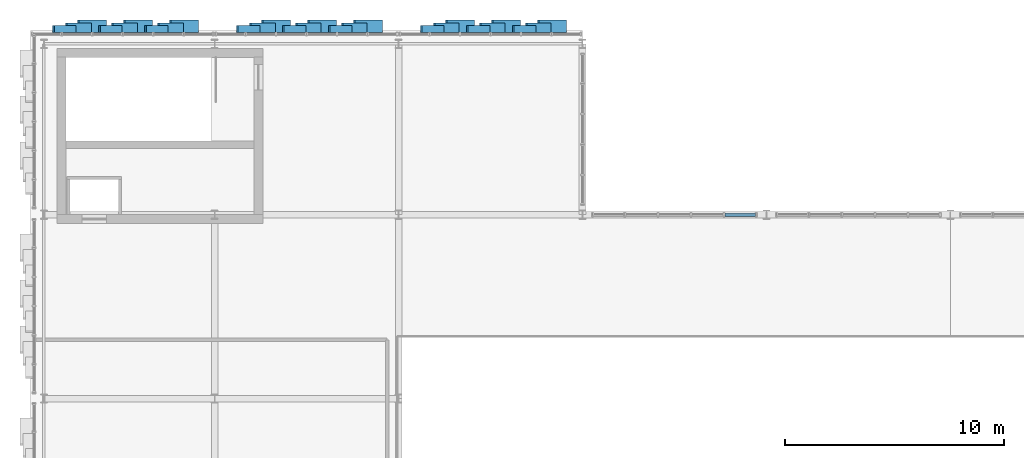
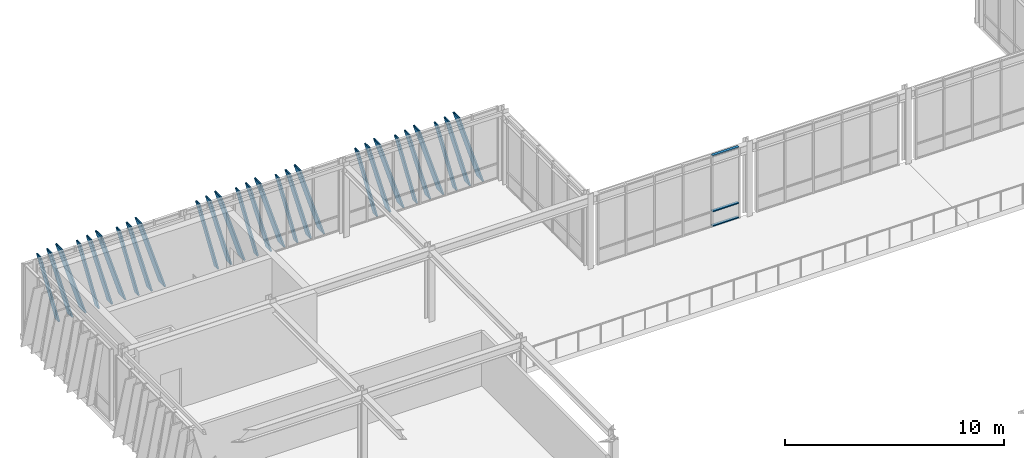
# One storey, part 46 of 123: 30 members, 4 elements without a shape of their own.
"""IFC4 building model written with IfcOpenShell, lengths in metres."""

from ifc_helpers import new_model, si_unit, direction, frame, origin, origin_2d, place, context, subcontext, project, spatial, hollow_rectangle, extrude, material, layer, layer_set, material_profile, profile_set, type_object, element, aggregate, save


model = new_model("IFC4")

# Units and contexts
model_context = context("Model", 3, precision=1e-05, world=origin(), true_north=direction((0.0, 1.0)))
body_context = subcontext(model_context, "Body", "Model", "MODEL_VIEW")
ifc_project = project(units=[si_unit("LENGTHUNIT", "METRE"), si_unit("AREAUNIT", "SQUARE_METRE"), si_unit("VOLUMEUNIT", "CUBIC_METRE"), si_unit("PLANEANGLEUNIT", "RADIAN"), si_unit("MASSUNIT", "GRAM", prefix="KILO")], contexts=[model_context])

# Site, building, storey
site_placement = place(None, origin())
site = spatial("IfcSite", under=ifc_project, at=site_placement, CompositionType="ELEMENT")
building_placement = place(site_placement, origin())
building = spatial("IfcBuilding", under=site, at=building_placement, Name="Zayran Congress Hotel", CompositionType="ELEMENT")
storey_placement = place(building_placement, frame((0.0, 0.0, 15.0)))
storey = spatial("IfcBuildingStorey", under=building, at=storey_placement, Name="L03", CompositionType="ELEMENT", Elevation=15.0)

# Curtain wall, members
ifc_material_1 = material(Name="Anodised aluminium and low-E insulated glass", Category="aluminium")
ifc_layer_1 = layer(ifc_material_1, 0.179931640625)
ifc_layer_set_1 = layer_set([ifc_layer_1], Name="Anodised aluminium and low-E insulated glass")
curtain_wall_type_1 = type_object("IfcCurtainWallType", Name="CW-V1NF-L03-CW-21-7560-3980", PredefinedType="USERDEFINED", material=ifc_layer_set_1)
curtain_wall_1_placement = place(storey_placement, origin())
curtain_wall_1 = element("IfcCurtainWall", 1, at=curtain_wall_1_placement, inside=storey, type_object=curtain_wall_type_1, Name="CW-V1NF-L03-3", ObjectType="CURTAIN WALL", PredefinedType="USERDEFINED")
ifc_material_2 = material(Name="Anodised aluminium framing", Category="aluminium")
ifc_material_profile_1 = material_profile(ifc_material_2, hollow_rectangle(XDim=0.06005859375, YDim=0.14990234375, WallThickness=0.00390625, at=origin_2d()), Name="RHS 150x60x4")
ifc_profile_set_1 = profile_set([ifc_material_profile_1], Name="Anodised aluminium framing")
member_type_1 = type_object("IfcMemberType", Name="TP-CWT-01", PredefinedType="USERDEFINED", material=ifc_profile_set_1)
member_1_placement = place(storey_placement, frame((41.5, 109.60009765625, 0.030029296875), z_axis=(-1.0, 0.0, 0.0), x_axis=(0.0, 0.0, 1.0)))
member_1 = element("IfcMember", 2, at=member_1_placement, type_object=member_type_1, Name="CW-V1NF-L03-3-T00-0", ObjectType="TRANSOM", PredefinedType="USERDEFINED", context=body_context, shape_type="SweptSolid", body=[
    extrude(hollow_rectangle(XDim=0.06005859375, YDim=0.14990234375, WallThickness=0.00390625, at=origin_2d()), origin(), (0.0, 0.0, 1.0), 1.39208984375),
])
member_2_placement = place(storey_placement, frame((41.5, 109.60009765625, 0.840087890625), z_axis=(-1.0, 0.0, 0.0), x_axis=(0.0, 0.0, 1.0)))
member_2 = element("IfcMember", 3, at=member_2_placement, type_object=member_type_1, Name="CW-V1NF-L03-3-T00-1", ObjectType="TRANSOM", PredefinedType="USERDEFINED", context=body_context, shape_type="SweptSolid", body=[
    extrude(hollow_rectangle(XDim=0.06005859375, YDim=0.14990234375, WallThickness=0.00390625, at=origin_2d()), origin(), (0.0, 0.0, 1.0), 1.39208984375),
])
member_3_placement = place(storey_placement, frame((41.5, 109.60009765625, 3.949951171875), z_axis=(-1.0, 0.0, 0.0), x_axis=(0.0, 0.0, 1.0)))
member_3 = element("IfcMember", 4, at=member_3_placement, type_object=member_type_1, Name="CW-V1NF-L03-3-T00-2", ObjectType="TRANSOM", PredefinedType="USERDEFINED", context=body_context, shape_type="SweptSolid", body=[
    extrude(hollow_rectangle(XDim=0.06005859375, YDim=0.14990234375, WallThickness=0.00390625, at=origin_2d()), origin(), (0.0, 0.0, 1.0), 1.39208984375),
])
aggregate(curtain_wall_1, [member_1, member_2, member_3])

ifc_layer_2 = layer(ifc_material_1, 0.179931640625)
ifc_layer_set_2 = layer_set([ifc_layer_2], Name="Anodised aluminium and low-E insulated glass")
curtain_wall_type_2 = type_object("IfcCurtainWallType", Name="CW-V1N-L03-CW-21-8360-3980", PredefinedType="USERDEFINED", material=ifc_layer_set_2)
curtain_wall_2_placement = place(storey_placement, origin())
curtain_wall_2 = element("IfcCurtainWall", 5, at=curtain_wall_2_placement, inside=storey, type_object=curtain_wall_type_2, Name="CW-V1N-L03-0", ObjectType="CURTAIN WALL", PredefinedType="USERDEFINED")
ifc_material_3 = material(Name="Warm bronze anodised aluminium", Category="aluminium")
ifc_material_profile_2 = material_profile(ifc_material_3, hollow_rectangle(XDim=0.080078125, YDim=0.580078125, WallThickness=0.006103515625, at=origin_2d()), Name="RHS 580x80x6")
ifc_profile_set_2 = profile_set([ifc_material_profile_2], Name="Warm bronze anodised aluminium")
member_type_2 = type_object("IfcMemberType", Name="TP-RFN-01", PredefinedType="MULLION", material=ifc_profile_set_2)
member_4_placement = place(storey_placement, frame((16.030029296875, 118.199951171875, 0.0), z_axis=(-0.300705753938, 0.0, 0.953716965115), x_axis=(0.953716965115, 0.0, 0.300705753938)))
member_4 = element("IfcMember", 6, at=member_4_placement, type_object=member_type_2, Name="Slanting Reed Mullion CW-21-01", PredefinedType="MULLION", context=body_context, shape_type="SweptSolid", body=[
    extrude(hollow_rectangle(XDim=0.080078125, YDim=0.580078125, WallThickness=0.006103515625, at=origin_2d()), origin(), (0.0, 0.0, 1.0), 4.173095703125),
])
member_5_placement = place(storey_placement, frame((13.929931640625, 118.199951171875, 0.0), z_axis=(-0.300705753938, 0.0, 0.953716965115), x_axis=(0.953716965115, 0.0, 0.300705753938)))
member_5 = element("IfcMember", 7, at=member_5_placement, type_object=member_type_2, Name="Slanting Reed Mullion CW-21-04", PredefinedType="MULLION", context=body_context, shape_type="SweptSolid", body=[
    extrude(hollow_rectangle(XDim=0.080078125, YDim=0.580078125, WallThickness=0.006103515625, at=origin_2d()), origin(), (0.0, 0.0, 1.0), 4.173095703125),
])
member_6_placement = place(storey_placement, frame((11.830078125, 118.199951171875, 0.0), z_axis=(-0.300705753938, 0.0, 0.953716965115), x_axis=(0.953716965115, 0.0, 0.300705753938)))
member_6 = element("IfcMember", 8, at=member_6_placement, type_object=member_type_2, Name="Slanting Reed Mullion CW-21-07", PredefinedType="MULLION", context=body_context, shape_type="SweptSolid", body=[
    extrude(hollow_rectangle(XDim=0.080078125, YDim=0.580078125, WallThickness=0.006103515625, at=origin_2d()), origin(), (0.0, 0.0, 1.0), 4.173095703125),
])

ifc_layer_3 = layer(ifc_material_1, 0.179931640625)
ifc_layer_set_3 = layer_set([ifc_layer_3], Name="Anodised aluminium and low-E insulated glass")
curtain_wall_type_3 = type_object("IfcCurtainWallType", Name="CW-V1N-L03-CW-22-8360-3980", PredefinedType="USERDEFINED", material=ifc_layer_set_3)
curtain_wall_3_placement = place(storey_placement, origin())
curtain_wall_3 = element("IfcCurtainWall", 9, at=curtain_wall_3_placement, inside=storey, type_object=curtain_wall_type_3, Name="CW-V1N-L03-1", ObjectType="CURTAIN WALL", PredefinedType="USERDEFINED")
member_7_placement = place(storey_placement, frame((24.429931640625, 118.199951171875, 0.0), z_axis=(-0.300705753938, 0.0, 0.953716965115), x_axis=(0.953716965115, 0.0, 0.300705753938)))
member_7 = element("IfcMember", 10, at=member_7_placement, type_object=member_type_2, Name="Slanting Reed Mullion CW-22-01", PredefinedType="MULLION", context=body_context, shape_type="SweptSolid", body=[
    extrude(hollow_rectangle(XDim=0.080078125, YDim=0.580078125, WallThickness=0.006103515625, at=origin_2d()), origin(), (0.0, 0.0, 1.0), 4.173095703125),
])
member_8_placement = place(storey_placement, frame((22.330078125, 118.199951171875, 0.0), z_axis=(-0.300705753938, 0.0, 0.953716965115), x_axis=(0.953716965115, 0.0, 0.300705753938)))
member_8 = element("IfcMember", 11, at=member_8_placement, type_object=member_type_2, Name="Slanting Reed Mullion CW-22-04", PredefinedType="MULLION", context=body_context, shape_type="SweptSolid", body=[
    extrude(hollow_rectangle(XDim=0.080078125, YDim=0.580078125, WallThickness=0.006103515625, at=origin_2d()), origin(), (0.0, 0.0, 1.0), 4.173095703125),
])
member_9_placement = place(storey_placement, frame((20.22998046875, 118.199951171875, 0.0), z_axis=(-0.300705753938, 0.0, 0.953716965115), x_axis=(0.953716965115, 0.0, 0.300705753938)))
member_9 = element("IfcMember", 12, at=member_9_placement, type_object=member_type_2, Name="Slanting Reed Mullion CW-22-07", PredefinedType="MULLION", context=body_context, shape_type="SweptSolid", body=[
    extrude(hollow_rectangle(XDim=0.080078125, YDim=0.580078125, WallThickness=0.006103515625, at=origin_2d()), origin(), (0.0, 0.0, 1.0), 4.173095703125),
])

ifc_layer_4 = layer(ifc_material_1, 0.179931640625)
ifc_layer_set_4 = layer_set([ifc_layer_4], Name="Anodised aluminium and low-E insulated glass")
curtain_wall_type_4 = type_object("IfcCurtainWallType", Name="CW-V1N-L03-CW-23-8360-3980", PredefinedType="USERDEFINED", material=ifc_layer_set_4)
curtain_wall_4_placement = place(storey_placement, origin())
curtain_wall_4 = element("IfcCurtainWall", 13, at=curtain_wall_4_placement, inside=storey, type_object=curtain_wall_type_4, Name="CW-V1N-L03-2", ObjectType="CURTAIN WALL", PredefinedType="USERDEFINED")
member_10_placement = place(storey_placement, frame((32.830078125, 118.199951171875, 0.0), z_axis=(-0.300705753938, 0.0, 0.953716965115), x_axis=(0.953716965115, 0.0, 0.300705753938)))
member_10 = element("IfcMember", 14, at=member_10_placement, type_object=member_type_2, Name="Slanting Reed Mullion CW-23-01", PredefinedType="MULLION", context=body_context, shape_type="SweptSolid", body=[
    extrude(hollow_rectangle(XDim=0.080078125, YDim=0.580078125, WallThickness=0.006103515625, at=origin_2d()), origin(), (0.0, 0.0, 1.0), 4.173095703125),
])
member_11_placement = place(storey_placement, frame((30.72998046875, 118.199951171875, 0.0), z_axis=(-0.300705753938, 0.0, 0.953716965115), x_axis=(0.953716965115, 0.0, 0.300705753938)))
member_11 = element("IfcMember", 15, at=member_11_placement, type_object=member_type_2, Name="Slanting Reed Mullion CW-23-04", PredefinedType="MULLION", context=body_context, shape_type="SweptSolid", body=[
    extrude(hollow_rectangle(XDim=0.080078125, YDim=0.580078125, WallThickness=0.006103515625, at=origin_2d()), origin(), (0.0, 0.0, 1.0), 4.173095703125),
])
member_12_placement = place(storey_placement, frame((28.6298828125, 118.199951171875, 0.0), z_axis=(-0.300705753938, 0.0, 0.953716965115), x_axis=(0.953716965115, 0.0, 0.300705753938)))
member_12 = element("IfcMember", 16, at=member_12_placement, type_object=member_type_2, Name="Slanting Reed Mullion CW-23-07", PredefinedType="MULLION", context=body_context, shape_type="SweptSolid", body=[
    extrude(hollow_rectangle(XDim=0.080078125, YDim=0.580078125, WallThickness=0.006103515625, at=origin_2d()), origin(), (0.0, 0.0, 1.0), 4.173095703125),
])

# Member
ifc_material_profile_3 = material_profile(ifc_material_3, hollow_rectangle(XDim=0.080078125, YDim=0.449951171875, WallThickness=0.006103515625, at=origin_2d()), Name="RHS 450x80x6")
ifc_profile_set_3 = profile_set([ifc_material_profile_3], Name="Warm bronze anodised aluminium")
member_type_3 = type_object("IfcMemberType", Name="TP-RFN-02", PredefinedType="MULLION", material=ifc_profile_set_3)
member_13_placement = place(storey_placement, frame((15.330078125, 118.135009765625, 0.0), z_axis=(-0.267241410526, 0.0, 0.963629611677), x_axis=(0.963629611677, 0.0, 0.267241410526)))
member_13 = element("IfcMember", 17, at=member_13_placement, type_object=member_type_3, Name="Slanting Reed Mullion CW-21-02", PredefinedType="MULLION", context=body_context, shape_type="SweptSolid", body=[
    extrude(hollow_rectangle(XDim=0.080078125, YDim=0.449951171875, WallThickness=0.006103515625, at=origin_2d()), origin(), (0.0, 0.0, 1.0), 4.130126953125),
])

member_14_placement = place(storey_placement, frame((13.22998046875, 118.135009765625, 0.0), z_axis=(-0.267241410526, 0.0, 0.963629611677), x_axis=(0.963629611677, 0.0, 0.267241410526)))
member_14 = element("IfcMember", 18, at=member_14_placement, type_object=member_type_3, Name="Slanting Reed Mullion CW-21-05", PredefinedType="MULLION", context=body_context, shape_type="SweptSolid", body=[
    extrude(hollow_rectangle(XDim=0.080078125, YDim=0.449951171875, WallThickness=0.006103515625, at=origin_2d()), origin(), (0.0, 0.0, 1.0), 4.130126953125),
])

member_15_placement = place(storey_placement, frame((11.1298828125, 118.135009765625, 0.0), z_axis=(-0.267241410526, 0.0, 0.963629611677), x_axis=(0.963629611677, 0.0, 0.267241410526)))
member_15 = element("IfcMember", 19, at=member_15_placement, type_object=member_type_3, Name="Slanting Reed Mullion CW-21-08", PredefinedType="MULLION", context=body_context, shape_type="SweptSolid", body=[
    extrude(hollow_rectangle(XDim=0.080078125, YDim=0.449951171875, WallThickness=0.006103515625, at=origin_2d()), origin(), (0.0, 0.0, 1.0), 4.130126953125),
])

member_16_placement = place(storey_placement, frame((23.72998046875, 118.135009765625, 0.0), z_axis=(-0.267241410526, 0.0, 0.963629611677), x_axis=(0.963629611677, 0.0, 0.267241410526)))
member_16 = element("IfcMember", 20, at=member_16_placement, type_object=member_type_3, Name="Slanting Reed Mullion CW-22-02", PredefinedType="MULLION", context=body_context, shape_type="SweptSolid", body=[
    extrude(hollow_rectangle(XDim=0.080078125, YDim=0.449951171875, WallThickness=0.006103515625, at=origin_2d()), origin(), (0.0, 0.0, 1.0), 4.130126953125),
])

member_17_placement = place(storey_placement, frame((21.6298828125, 118.135009765625, 0.0), z_axis=(-0.267241410526, 0.0, 0.963629611677), x_axis=(0.963629611677, 0.0, 0.267241410526)))
member_17 = element("IfcMember", 21, at=member_17_placement, type_object=member_type_3, Name="Slanting Reed Mullion CW-22-05", PredefinedType="MULLION", context=body_context, shape_type="SweptSolid", body=[
    extrude(hollow_rectangle(XDim=0.080078125, YDim=0.449951171875, WallThickness=0.006103515625, at=origin_2d()), origin(), (0.0, 0.0, 1.0), 4.130126953125),
])

member_18_placement = place(storey_placement, frame((19.530029296875, 118.135009765625, 0.0), z_axis=(-0.267241410526, 0.0, 0.963629611677), x_axis=(0.963629611677, 0.0, 0.267241410526)))
member_18 = element("IfcMember", 22, at=member_18_placement, type_object=member_type_3, Name="Slanting Reed Mullion CW-22-08", PredefinedType="MULLION", context=body_context, shape_type="SweptSolid", body=[
    extrude(hollow_rectangle(XDim=0.080078125, YDim=0.449951171875, WallThickness=0.006103515625, at=origin_2d()), origin(), (0.0, 0.0, 1.0), 4.130126953125),
])

member_19_placement = place(storey_placement, frame((32.1298828125, 118.135009765625, 0.0), z_axis=(-0.267241410526, 0.0, 0.963629611677), x_axis=(0.963629611677, 0.0, 0.267241410526)))
member_19 = element("IfcMember", 23, at=member_19_placement, type_object=member_type_3, Name="Slanting Reed Mullion CW-23-02", PredefinedType="MULLION", context=body_context, shape_type="SweptSolid", body=[
    extrude(hollow_rectangle(XDim=0.080078125, YDim=0.449951171875, WallThickness=0.006103515625, at=origin_2d()), origin(), (0.0, 0.0, 1.0), 4.130126953125),
])

member_20_placement = place(storey_placement, frame((30.030029296875, 118.135009765625, 0.0), z_axis=(-0.267241410526, 0.0, 0.963629611677), x_axis=(0.963629611677, 0.0, 0.267241410526)))
member_20 = element("IfcMember", 24, at=member_20_placement, type_object=member_type_3, Name="Slanting Reed Mullion CW-23-05", PredefinedType="MULLION", context=body_context, shape_type="SweptSolid", body=[
    extrude(hollow_rectangle(XDim=0.080078125, YDim=0.449951171875, WallThickness=0.006103515625, at=origin_2d()), origin(), (0.0, 0.0, 1.0), 4.130126953125),
])

member_21_placement = place(storey_placement, frame((27.929931640625, 118.135009765625, 0.0), z_axis=(-0.267241410526, 0.0, 0.963629611677), x_axis=(0.963629611677, 0.0, 0.267241410526)))
member_21 = element("IfcMember", 25, at=member_21_placement, type_object=member_type_3, Name="Slanting Reed Mullion CW-23-08", PredefinedType="MULLION", context=body_context, shape_type="SweptSolid", body=[
    extrude(hollow_rectangle(XDim=0.080078125, YDim=0.449951171875, WallThickness=0.006103515625, at=origin_2d()), origin(), (0.0, 0.0, 1.0), 4.130126953125),
])

ifc_material_profile_4 = material_profile(ifc_material_3, hollow_rectangle(XDim=0.080078125, YDim=0.340087890625, WallThickness=0.006103515625, at=origin_2d()), Name="RHS 340x80x6")
ifc_profile_set_4 = profile_set([ifc_material_profile_4], Name="Warm bronze anodised aluminium")
member_type_4 = type_object("IfcMemberType", Name="TP-RFN-03", PredefinedType="MULLION", material=ifc_profile_set_4)
member_22_placement = place(storey_placement, frame((14.6298828125, 118.080078125, 0.0), z_axis=(-0.24189134958, 0.0, 0.970303341743), x_axis=(0.970303341743, 0.0, 0.24189134958)))
member_22 = element("IfcMember", 26, at=member_22_placement, type_object=member_type_4, Name="Slanting Reed Mullion CW-21-03", PredefinedType="MULLION", context=body_context, shape_type="SweptSolid", body=[
    extrude(hollow_rectangle(XDim=0.080078125, YDim=0.340087890625, WallThickness=0.006103515625, at=origin_2d()), origin(), (0.0, 0.0, 1.0), 4.101806640625),
])

member_23_placement = place(storey_placement, frame((12.530029296875, 118.080078125, 0.0), z_axis=(-0.241947386249, 0.0, 0.970289370388), x_axis=(0.970289370388, 0.0, 0.241947386249)))
member_23 = element("IfcMember", 27, at=member_23_placement, type_object=member_type_4, Name="Slanting Reed Mullion CW-21-06", PredefinedType="MULLION", context=body_context, shape_type="SweptSolid", body=[
    extrude(hollow_rectangle(XDim=0.080078125, YDim=0.340087890625, WallThickness=0.006103515625, at=origin_2d()), origin(), (0.0, 0.0, 1.0), 4.101806640625),
])

member_24_placement = place(storey_placement, frame((10.429931640625, 118.080078125, 0.0), z_axis=(-0.24189134958, 0.0, 0.970303341743), x_axis=(0.970303341743, 0.0, 0.24189134958)))
member_24 = element("IfcMember", 28, at=member_24_placement, type_object=member_type_4, Name="Slanting Reed Mullion CW-21-09", PredefinedType="MULLION", context=body_context, shape_type="SweptSolid", body=[
    extrude(hollow_rectangle(XDim=0.080078125, YDim=0.340087890625, WallThickness=0.006103515625, at=origin_2d()), origin(), (0.0, 0.0, 1.0), 4.101806640625),
])

aggregate(curtain_wall_2, [member_4, member_13, member_22, member_5, member_14, member_23, member_6, member_15, member_24])

member_25_placement = place(storey_placement, frame((23.030029296875, 118.080078125, 0.0), z_axis=(-0.241947386249, 0.0, 0.970289370388), x_axis=(0.970289370388, 0.0, 0.241947386249)))
member_25 = element("IfcMember", 29, at=member_25_placement, type_object=member_type_4, Name="Slanting Reed Mullion CW-22-03", PredefinedType="MULLION", context=body_context, shape_type="SweptSolid", body=[
    extrude(hollow_rectangle(XDim=0.080078125, YDim=0.340087890625, WallThickness=0.006103515625, at=origin_2d()), origin(), (0.0, 0.0, 1.0), 4.101806640625),
])

member_26_placement = place(storey_placement, frame((20.929931640625, 118.080078125, 0.0), z_axis=(-0.24189134958, 0.0, 0.970303341743), x_axis=(0.970303341743, 0.0, 0.24189134958)))
member_26 = element("IfcMember", 30, at=member_26_placement, type_object=member_type_4, Name="Slanting Reed Mullion CW-22-06", PredefinedType="MULLION", context=body_context, shape_type="SweptSolid", body=[
    extrude(hollow_rectangle(XDim=0.080078125, YDim=0.340087890625, WallThickness=0.006103515625, at=origin_2d()), origin(), (0.0, 0.0, 1.0), 4.101806640625),
])

member_27_placement = place(storey_placement, frame((18.830078125, 118.080078125, 0.0), z_axis=(-0.241947386249, 0.0, 0.970289370388), x_axis=(0.970289370388, 0.0, 0.241947386249)))
member_27 = element("IfcMember", 31, at=member_27_placement, type_object=member_type_4, Name="Slanting Reed Mullion CW-22-09", PredefinedType="MULLION", context=body_context, shape_type="SweptSolid", body=[
    extrude(hollow_rectangle(XDim=0.080078125, YDim=0.340087890625, WallThickness=0.006103515625, at=origin_2d()), origin(), (0.0, 0.0, 1.0), 4.101806640625),
])

aggregate(curtain_wall_3, [member_7, member_16, member_25, member_8, member_17, member_26, member_9, member_18, member_27])

member_28_placement = place(storey_placement, frame((31.429931640625, 118.080078125, 0.0), z_axis=(-0.24189134958, 0.0, 0.970303341743), x_axis=(0.970303341743, 0.0, 0.24189134958)))
member_28 = element("IfcMember", 32, at=member_28_placement, type_object=member_type_4, Name="Slanting Reed Mullion CW-23-03", PredefinedType="MULLION", context=body_context, shape_type="SweptSolid", body=[
    extrude(hollow_rectangle(XDim=0.080078125, YDim=0.340087890625, WallThickness=0.006103515625, at=origin_2d()), origin(), (0.0, 0.0, 1.0), 4.101806640625),
])

member_29_placement = place(storey_placement, frame((29.330078125, 118.080078125, 0.0), z_axis=(-0.241947386249, 0.0, 0.970289370388), x_axis=(0.970289370388, 0.0, 0.241947386249)))
member_29 = element("IfcMember", 33, at=member_29_placement, type_object=member_type_4, Name="Slanting Reed Mullion CW-23-06", PredefinedType="MULLION", context=body_context, shape_type="SweptSolid", body=[
    extrude(hollow_rectangle(XDim=0.080078125, YDim=0.340087890625, WallThickness=0.006103515625, at=origin_2d()), origin(), (0.0, 0.0, 1.0), 4.101806640625),
])

member_30_placement = place(storey_placement, frame((27.22998046875, 118.080078125, 0.0), z_axis=(-0.24189134958, 0.0, 0.970303341743), x_axis=(0.970303341743, 0.0, 0.24189134958)))
member_30 = element("IfcMember", 34, at=member_30_placement, type_object=member_type_4, Name="Slanting Reed Mullion CW-23-09", PredefinedType="MULLION", context=body_context, shape_type="SweptSolid", body=[
    extrude(hollow_rectangle(XDim=0.080078125, YDim=0.340087890625, WallThickness=0.006103515625, at=origin_2d()), origin(), (0.0, 0.0, 1.0), 4.101806640625),
])

aggregate(curtain_wall_4, [member_10, member_19, member_28, member_11, member_20, member_29, member_12, member_21, member_30])

save(model, "model.ifc")
